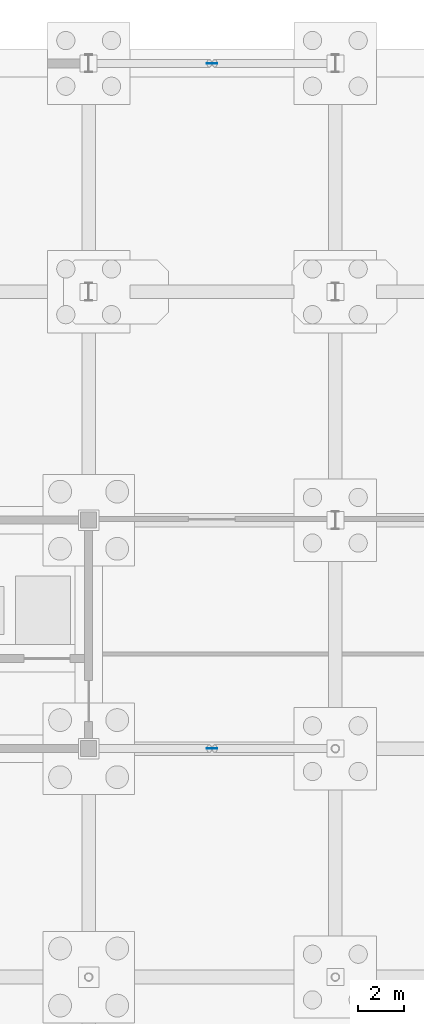
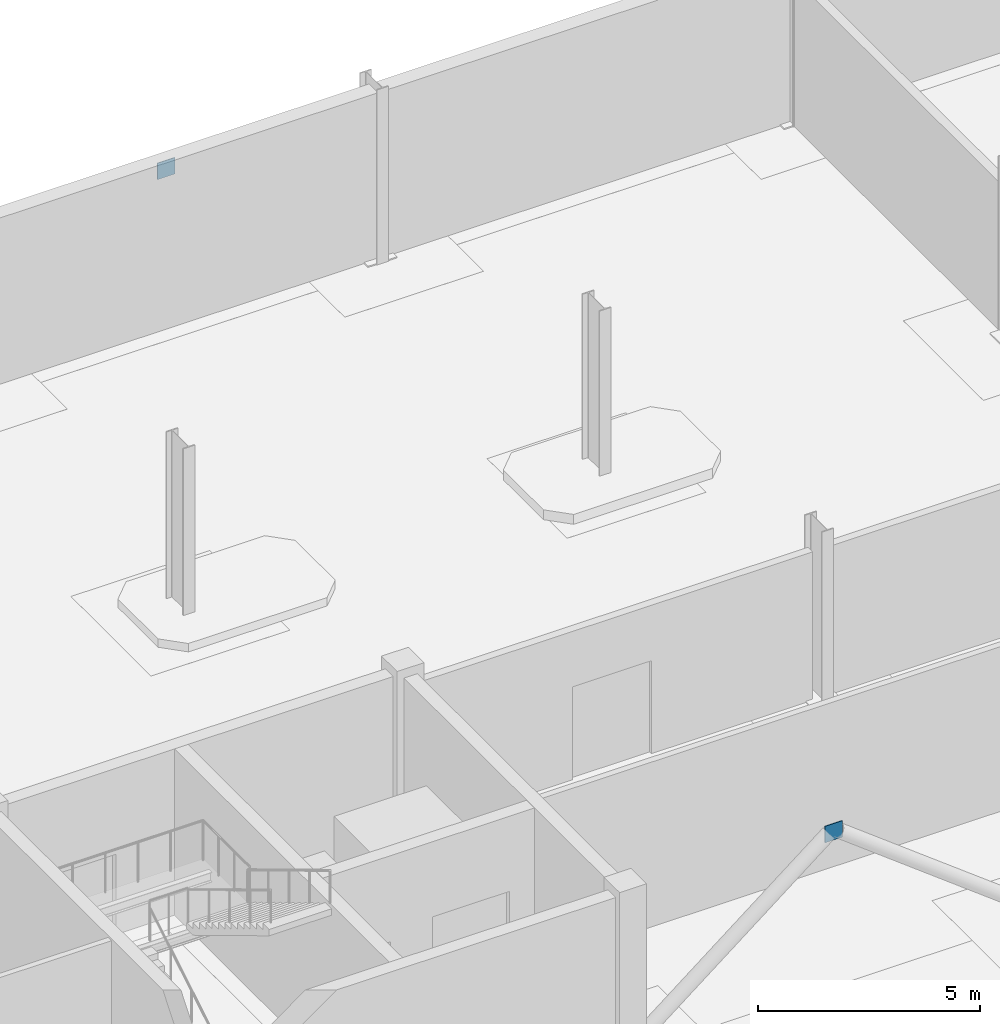
# One storey, part 50 of 73: 2 plates.
"""IFC4 building model written with IfcOpenShell, lengths in metres."""

from ifc_helpers import new_model, si_unit, direction, frame, origin, origin_2d, place, context, subcontext, project, spatial, rectangle, extrude, material, layer, layer_set, type_object, element, save


model = new_model("IFC4")

# Units and contexts
model_context = context("Model", 3, precision=1e-05, world=origin(), true_north=direction((0.0, 1.0)))
body_context = subcontext(model_context, "Body", "Model", "MODEL_VIEW")
ifc_project = project(units=[si_unit("LENGTHUNIT", "METRE"), si_unit("AREAUNIT", "SQUARE_METRE"), si_unit("VOLUMEUNIT", "CUBIC_METRE"), si_unit("PLANEANGLEUNIT", "RADIAN"), si_unit("MASSUNIT", "GRAM", prefix="KILO")], contexts=[model_context])

# Site, building, storey
site_placement = place(None, origin())
site = spatial("IfcSite", under=ifc_project, at=site_placement, CompositionType="ELEMENT")
building_placement = place(site_placement, origin())
building = spatial("IfcBuilding", under=site, at=building_placement, Name="Tasgan Crest Museum", CompositionType="ELEMENT")
storey_placement = place(building_placement, origin())
storey = spatial("IfcBuildingStorey", under=building, at=storey_placement, Name="L00", CompositionType="ELEMENT", Elevation=0.0)

# Plates
ifc_material = material(Name="Steel S355K2", Category="steel")
ifc_layer = layer(ifc_material, 0.02001953125, Name="PL-GUSSET-450")
ifc_layer_set = layer_set([ifc_layer], Name="Steel S355K2")
plate_type = type_object("IfcPlateType", Name="PL-GUSSET-450", PredefinedType="USERDEFINED", material=ifc_layer_set)
for number, where, z_axis, x_axis, name in (
    (1, (70.199951171875, 112.0, 4.02490234375), (0.0, 0.0, 1.0), (1.0, 0.0, 0.0), "Chevron gusset plate L00 M 70.2"),
    (2, (70.199951171875, 82.0, 4.02490234375), (0.0, 0.0, 1.0), (1.0, 0.0, 0.0), "Chevron gusset plate L00 J 70.2"),
):
    element("IfcPlate", number, at=place(storey_placement, frame(where, z_axis=z_axis, x_axis=x_axis)), inside=storey, type_object=plate_type, Name=name, ObjectType="GUSSET PLATE", PredefinedType="USERDEFINED", context=body_context, shape_type="SweptSolid", body=[
        extrude(rectangle(XDim=0.449951171875, YDim=0.02001953125, at=origin_2d()), origin(), (0.0, 0.0, 1.0), 0.449951171875),
    ])

save(model, "model.ifc")
